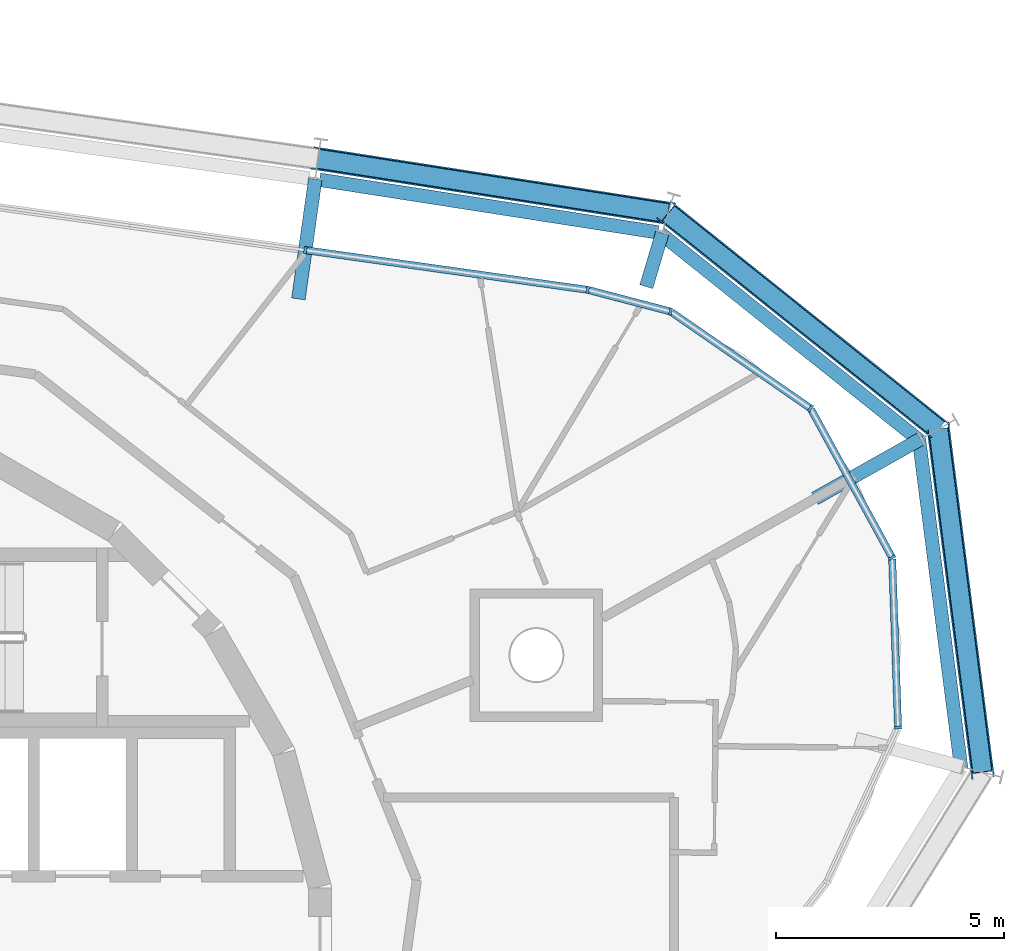
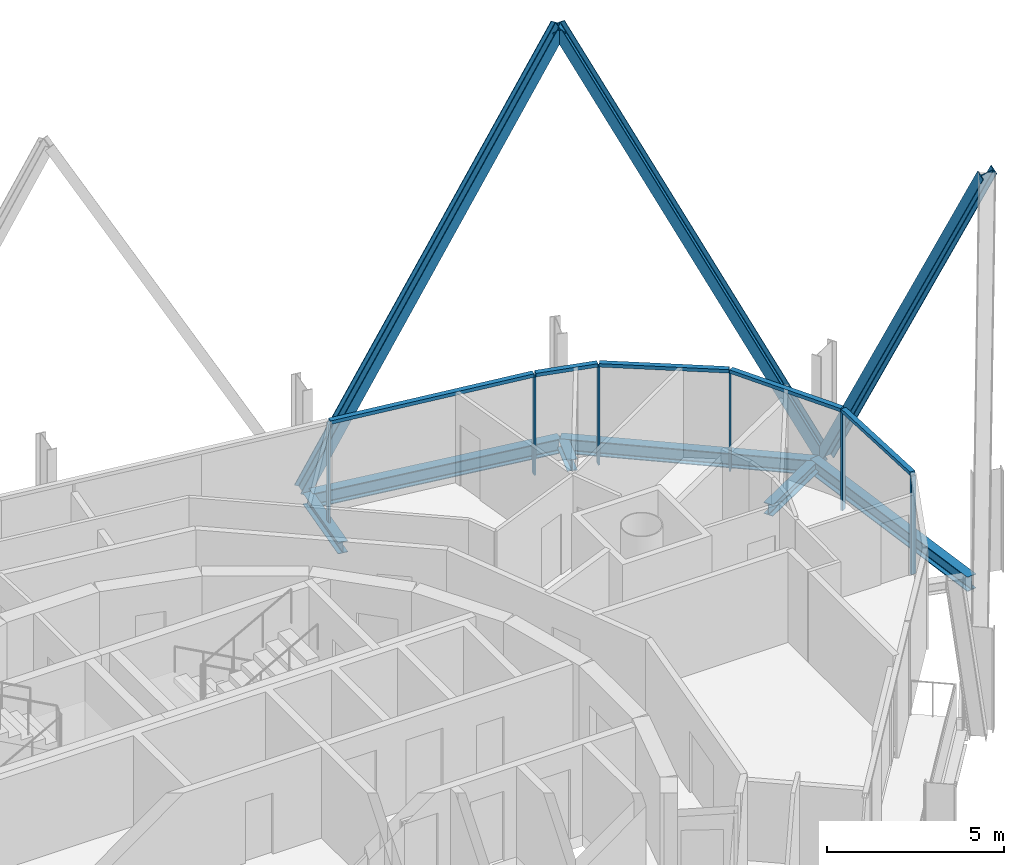
# One storey, part 7 of 15: 14 members, 6 beams, 2 elements without a shape of their own.
"""IFC4 building model written with IfcOpenShell, lengths in metres."""

from ifc_helpers import new_model, si_unit, direction, frame, origin, origin_2d, place, context, subcontext, project, spatial, rectangle, i_section, extrude, material, layer, layer_set, material_profile, profile_set, type_object, element, aggregate, save


model = new_model("IFC4")

# Units and contexts
model_context = context("Model", 3, precision=1e-05, world=origin(), true_north=direction((0.0, 1.0)))
body_context = subcontext(model_context, "Body", "Model", "MODEL_VIEW")
ifc_project = project(units=[si_unit("LENGTHUNIT", "METRE"), si_unit("AREAUNIT", "SQUARE_METRE"), si_unit("VOLUMEUNIT", "CUBIC_METRE"), si_unit("PLANEANGLEUNIT", "RADIAN"), si_unit("MASSUNIT", "GRAM", prefix="KILO")], contexts=[model_context])

# Site, building, storey
site_placement = place(None, origin())
site = spatial("IfcSite", under=ifc_project, at=site_placement, CompositionType="ELEMENT")
building_placement = place(site_placement, origin())
building = spatial("IfcBuilding", under=site, at=building_placement, Name="Spindle Arch Residences", CompositionType="ELEMENT")
storey_placement = place(building_placement, frame((0.0, 0.0, 347.0)))
storey = spatial("IfcBuildingStorey", under=building, at=storey_placement, Name="L89", CompositionType="ELEMENT", Elevation=347.0)

# Curtain wall, members
ifc_material_1 = material(Name="Aluminium bronze unitised frame with tinted glass", Category="aluminium")
ifc_layer_1 = layer(ifc_material_1, 0.159912109375)
ifc_layer_set_1 = layer_set([ifc_layer_1], Name="CW-D corner wall on the fillet arcs")
curtain_wall_type_1 = type_object("IfcCurtainWallType", Name="CW-D corner wall on the fillet arcs", PredefinedType="NOTDEFINED", material=ifc_layer_set_1)
curtain_wall_1_placement = place(storey_placement, origin())
curtain_wall_1 = element("IfcCurtainWall", 1, at=curtain_wall_1_placement, inside=storey, type_object=curtain_wall_type_1, Name="CW-D L89 run 1", PredefinedType="NOTDEFINED")
ifc_material_2 = material(Name="Aluminium bronze anodised mullion", Category="aluminium")
ifc_material_profile_1 = material_profile(ifc_material_2, rectangle(XDim=0.159912109375, YDim=0.06005859375, at=origin_2d()), Name="MU 60x160")
ifc_profile_set_1 = profile_set([ifc_material_profile_1], Name="Aluminium bronze anodised mullion")
member_type_1 = type_object("IfcMemberType", Name="Bronze mullion 60x160", PredefinedType="MULLION", material=ifc_profile_set_1)
member_1_placement = place(storey_placement, frame((24.31201171875, 5.033935546875, -0.3798828125), z_axis=(0.0, 0.0, 1.0), x_axis=(-0.999390827004, -0.034899497139, 0.0)))
member_1 = element("IfcMember", 2, at=member_1_placement, type_object=member_type_1, Name="CW-D mullion 02", PredefinedType="MULLION", context=body_context, shape_type="SweptSolid", body=[
    extrude(rectangle(XDim=0.159912109375, YDim=0.06005859375, at=origin_2d()), origin(), (0.0, 0.0, 1.0), 3.3798828125),
])
member_2_placement = place(storey_placement, frame((24.18212890625, 8.758544921875, -0.3798828125), z_axis=(0.0, 0.0, 1.0), x_axis=(-0.877425397533, -0.479713114021, 0.0)))
member_2 = element("IfcMember", 3, at=member_2_placement, type_object=member_type_1, Name="CW-D mullion 03", PredefinedType="MULLION", context=body_context, shape_type="SweptSolid", body=[
    extrude(rectangle(XDim=0.159912109375, YDim=0.06005859375, at=origin_2d()), origin(), (0.0, 0.0, 1.0), 3.3798828125),
])
member_3_placement = place(storey_placement, frame((22.394287109375, 12.0283203125, -0.3798828125), z_axis=(0.0, 0.0, 1.0), x_axis=(-0.568801123739, -0.822475094841, 0.0)))
member_3 = element("IfcMember", 4, at=member_3_placement, type_object=member_type_1, Name="CW-D mullion 04", PredefinedType="MULLION", context=body_context, shape_type="SweptSolid", body=[
    extrude(rectangle(XDim=0.159912109375, YDim=0.06005859375, at=origin_2d()), origin(), (0.0, 0.0, 1.0), 3.3798828125),
])
member_4_placement = place(storey_placement, frame((19.3291015625, 14.148193359375, -0.3798828125), z_axis=(0.0, 0.0, 1.0), x_axis=(-0.25319517245, -0.967415218326, 0.0)))
member_4 = element("IfcMember", 5, at=member_4_placement, type_object=member_type_1, Name="CW-D mullion 05", PredefinedType="MULLION", context=body_context, shape_type="SweptSolid", body=[
    extrude(rectangle(XDim=0.159912109375, YDim=0.06005859375, at=origin_2d()), origin(), (0.0, 0.0, 1.0), 3.3798828125),
])
member_5_placement = place(storey_placement, frame((17.51416015625, 14.623291015625, -0.3798828125), z_axis=(0.0, 0.0, 1.0), x_axis=(-0.13917310096, -0.990268068742, 0.0)))
member_5 = element("IfcMember", 6, at=member_5_placement, type_object=member_type_1, Name="CW-D mullion 06", PredefinedType="MULLION", context=body_context, shape_type="SweptSolid", body=[
    extrude(rectangle(XDim=0.159912109375, YDim=0.06005859375, at=origin_2d()), origin(), (0.0, 0.0, 1.0), 3.3798828125),
])

# Curtain wall, member
ifc_material_3 = material(Name="Aluminium bronze unitised frame with tinted glass", Category="aluminium")
ifc_layer_2 = layer(ifc_material_3, 0.159912109375)
ifc_layer_set_2 = layer_set([ifc_layer_2], Name="CW-C typical residential unitised wall")
curtain_wall_type_2 = type_object("IfcCurtainWallType", Name="CW-C typical residential unitised wall", PredefinedType="NOTDEFINED", material=ifc_layer_set_2)
curtain_wall_2_placement = place(storey_placement, origin())
curtain_wall_2 = element("IfcCurtainWall", 7, at=curtain_wall_2_placement, inside=storey, type_object=curtain_wall_type_2, Name="CW-C L89 run 2", PredefinedType="NOTDEFINED")
member_6_placement = place(storey_placement, frame((11.326171875, 15.492919921875, -0.3798828125), z_axis=(0.0, 0.0, 1.0), x_axis=(-0.13917310096, -0.990268068742, 0.0)))
member_6 = element("IfcMember", 8, at=member_6_placement, type_object=member_type_1, Name="CW-C mullion 05", PredefinedType="MULLION", context=body_context, shape_type="SweptSolid", body=[
    extrude(rectangle(XDim=0.159912109375, YDim=0.06005859375, at=origin_2d()), origin(), (0.0, 0.0, 1.0), 3.3798828125),
])
aggregate(curtain_wall_2, [member_6])

# Member
ifc_material_4 = material(Name="Aluminium bronze anodised transom", Category="aluminium")
ifc_material_profile_2 = material_profile(ifc_material_4, rectangle(XDim=0.159912109375, YDim=0.1201171875, at=origin_2d()), Name="TR 120x160")
ifc_profile_set_2 = profile_set([ifc_material_profile_2], Name="Aluminium bronze anodised transom")
member_type_2 = type_object("IfcMemberType", Name="Bronze transom 120x160", PredefinedType="USERDEFINED", material=ifc_profile_set_2)
member_7_placement = place(storey_placement, frame((24.31103515625, 5.06396484375, 3.06005859375), z_axis=(-0.034888806725, 0.999391200264, 0.0), x_axis=(-0.999391200264, -0.034888806725, 0.0)))
member_7 = element("IfcMember", 9, at=member_7_placement, type_object=member_type_2, Name="CW-D transom 02", ObjectType="TRANSOM", PredefinedType="USERDEFINED", context=body_context, shape_type="SweptSolid", body=[
    extrude(rectangle(XDim=0.159912109375, YDim=0.1201171875, at=origin_2d()), origin(), (0.0, 0.0, 1.0), 3.666748046875),
])

member_8_placement = place(storey_placement, frame((24.167724609375, 8.784912109375, 3.06005859375), z_axis=(-0.479724247399, 0.877419310511, 0.0), x_axis=(-0.877419310511, -0.479724247399, 0.0)))
member_8 = element("IfcMember", 10, at=member_8_placement, type_object=member_type_2, Name="CW-D transom 03", ObjectType="TRANSOM", PredefinedType="USERDEFINED", context=body_context, shape_type="SweptSolid", body=[
    extrude(rectangle(XDim=0.159912109375, YDim=0.1201171875, at=origin_2d()), origin(), (0.0, 0.0, 1.0), 3.666748046875),
])

member_9_placement = place(storey_placement, frame((22.36962890625, 12.04541015625, 3.06005859375), z_axis=(-0.822474926174, 0.568801367628, 0.0), x_axis=(-0.568801367628, -0.822474926174, 0.0)))
member_9 = element("IfcMember", 11, at=member_9_placement, type_object=member_type_2, Name="CW-D transom 04", ObjectType="TRANSOM", PredefinedType="USERDEFINED", context=body_context, shape_type="SweptSolid", body=[
    extrude(rectangle(XDim=0.159912109375, YDim=0.1201171875, at=origin_2d()), origin(), (0.0, 0.0, 1.0), 3.666748046875),
])

member_10_placement = place(storey_placement, frame((19.300048828125, 14.15576171875, 3.06005859375), z_axis=(-0.96739418578, 0.253275520568, 0.0), x_axis=(-0.253275520568, -0.96739418578, 0.0)))
member_10 = element("IfcMember", 12, at=member_10_placement, type_object=member_type_2, Name="CW-D transom 05", ObjectType="TRANSOM", PredefinedType="USERDEFINED", context=body_context, shape_type="SweptSolid", body=[
    extrude(rectangle(XDim=0.159912109375, YDim=0.1201171875, at=origin_2d()), origin(), (0.0, 0.0, 1.0), 1.816162109375),
])

member_11_placement = place(storey_placement, frame((17.484375, 14.62744140625, 3.06005859375), z_axis=(-0.990267285989, 0.139178670423, 0.0), x_axis=(-0.139178670423, -0.990267285989, 0.0)))
member_11 = element("IfcMember", 13, at=member_11_placement, type_object=member_type_2, Name="CW-D transom 06", ObjectType="TRANSOM", PredefinedType="USERDEFINED", context=body_context, shape_type="SweptSolid", body=[
    extrude(rectangle(XDim=0.159912109375, YDim=0.1201171875, at=origin_2d()), origin(), (0.0, 0.0, 1.0), 6.188720703125),
])

aggregate(curtain_wall_1, [member_1, member_7, member_2, member_8, member_3, member_9, member_4, member_10, member_5, member_11])

# Members
ifc_material_5 = material(Name="Steel S460ML, intumescent coating R 240", Category="steel")
ifc_material_profile_3 = material_profile(ifc_material_5, i_section(OverallWidth=0.300048828125, OverallDepth=0.5, WebThickness=0.014404296875, FlangeThickness=0.028076171875, FilletRadius=0.027099609375, at=origin_2d()), Name="HEB 500")
ifc_profile_set_3 = profile_set([ifc_material_profile_3], Name="Steel S460ML, intumescent coating R 240")
member_type_3 = type_object("IfcMemberType", Name="Diagrid diagonal HEB 500", PredefinedType="BRACE", material=ifc_profile_set_3)
for number, where, z_axis, x_axis, name in (
    (14, (25.19384765625, 11.571044921875, -0.6298828125), (0.060612524747, -0.472032306205, 0.879495095917), (-0.112014137058, 0.872332767263, 0.475907949353), "Diagrid diagonal 9.2.3"),
    (15, (25.19384765625, 11.571044921875, -0.6298828125), (-0.371771048842, 0.297125434374, 0.879490058779), (0.687028965789, -0.549084659828, 0.475917258049), "Diagrid diagonal 9.2.4"),
):
    element("IfcMember", number, at=place(storey_placement, frame(where, z_axis=z_axis, x_axis=x_axis)), inside=storey, type_object=member_type_3, Name=name, PredefinedType="BRACE", context=body_context, shape_type="SweptSolid", body=[
        extrude(i_section(OverallWidth=0.300048828125, OverallDepth=0.5, WebThickness=0.014404296875, FlangeThickness=0.028076171875, FilletRadius=0.027099609375, at=origin_2d()), origin(), (0.0, 0.0, 1.0), 15.918212890625),
    ])
member_12_placement = place(storey_placement, frame((11.607421875, 17.4931640625, -0.6298828125), z_axis=(0.479066203661, -0.074490905402, 0.874612301264), x_axis=(-0.864227174956, 0.134380309535, 0.484822980558)))
element("IfcMember", 16, at=member_12_placement, inside=storey, type_object=member_type_3, Name="Diagrid diagonal 9.2.5", PredefinedType="BRACE", context=body_context, shape_type="SweptSolid", body=[
    extrude(i_section(OverallWidth=0.300048828125, OverallDepth=0.5, WebThickness=0.014404296875, FlangeThickness=0.028076171875, FilletRadius=0.027099609375, at=origin_2d()), origin(), (0.0, 0.0, 1.0), 16.007080078125),
])

# Beams
ifc_material_6 = material(Name="Steel S460ML, intumescent coating R 120", Category="steel")
ifc_material_profile_4 = material_profile(ifc_material_6, i_section(OverallWidth=0.300048828125, OverallDepth=0.5, WebThickness=0.014404296875, FlangeThickness=0.028076171875, FilletRadius=0.027099609375, at=origin_2d()), Name="HEB 500")
ifc_profile_set_4 = profile_set([ifc_material_profile_4], Name="Steel S460ML, intumescent coating R 120")
beam_type_1 = type_object("IfcBeamType", Name="Exoskeleton edge beam HEB 500", PredefinedType="BEAM", material=ifc_profile_set_4)
beam_1_placement = place(storey_placement, frame((25.69580078125, 4.128662109375, -0.6298828125), z_axis=(-0.127344466516, 0.991858551835, 0.0), x_axis=(-0.991858551835, -0.127344466516, 0.0)))
element("IfcBeam", 17, at=beam_1_placement, inside=storey, type_object=beam_type_1, Name="Exoskeleton edge beam 3", PredefinedType="BEAM", context=body_context, shape_type="SweptSolid", body=[
    extrude(i_section(OverallWidth=0.300048828125, OverallDepth=0.5, WebThickness=0.014404296875, FlangeThickness=0.028076171875, FilletRadius=0.027099609375, at=origin_2d()), origin(), (0.0, 0.0, 1.0), 7.31591796875),
])
beam_2_placement = place(storey_placement, frame((24.811279296875, 11.30078125, -0.6298828125), z_axis=(-0.781184527882, 0.624300194937, 0.0), x_axis=(-0.624300194937, -0.781184527882, 0.0)))
element("IfcBeam", 18, at=beam_2_placement, inside=storey, type_object=beam_type_1, Name="Exoskeleton edge beam 4", PredefinedType="BEAM", context=body_context, shape_type="SweptSolid", body=[
    extrude(i_section(OverallWidth=0.300048828125, OverallDepth=0.5, WebThickness=0.014404296875, FlangeThickness=0.028076171875, FilletRadius=0.027099609375, at=origin_2d()), origin(), (0.0, 0.0, 1.0), 7.315673828125),
])
beam_3_placement = place(storey_placement, frame((19.051513671875, 15.881103515625, -0.6298828125), z_axis=(-0.988123169285, 0.15366392655, 0.0), x_axis=(-0.15366392655, -0.988123169285, 0.0)))
element("IfcBeam", 19, at=beam_3_placement, inside=storey, type_object=beam_type_1, Name="Exoskeleton edge beam 5", PredefinedType="BEAM", context=body_context, shape_type="SweptSolid", body=[
    extrude(i_section(OverallWidth=0.300048828125, OverallDepth=0.5, WebThickness=0.014404296875, FlangeThickness=0.028076171875, FilletRadius=0.027099609375, at=origin_2d()), origin(), (0.0, 0.0, 1.0), 7.500732421875),
])
ifc_material_7 = material(Name="Steel S460ML, intumescent coating R 120", Category="steel")
ifc_material_profile_5 = material_profile(ifc_material_7, i_section(OverallWidth=0.300048828125, OverallDepth=0.389892578125, WebThickness=0.010986328125, FlangeThickness=0.01904296875, FilletRadius=0.027099609375, at=origin_2d()), Name="HEA 400")
ifc_profile_set_5 = profile_set([ifc_material_profile_5], Name="Steel S460ML, intumescent coating R 120")
beam_type_2 = type_object("IfcBeamType", Name="Floor outrigger HEA 400", PredefinedType="BEAM", material=ifc_profile_set_5)
beam_4_placement = place(storey_placement, frame((24.801513671875, 11.3505859375, -0.574951171875), z_axis=(-0.871686240554, -0.490064381514, 0.0), x_axis=(0.490064381514, -0.871686240554, 0.0)))
element("IfcBeam", 20, at=beam_4_placement, inside=storey, type_object=beam_type_2, Name="Floor outrigger 4", PredefinedType="BEAM", context=body_context, shape_type="SweptSolid", body=[
    extrude(i_section(OverallWidth=0.300048828125, OverallDepth=0.389892578125, WebThickness=0.010986328125, FlangeThickness=0.01904296875, FilletRadius=0.027099609375, at=origin_2d()), origin(), (0.0, 0.0, 1.0), 2.64990234375),
])
beam_5_placement = place(storey_placement, frame((19.147216796875, 15.869384765625, -0.574951171875), z_axis=(-0.285798722121, -0.958289669377, 0.0), x_axis=(0.958289669377, -0.285798722121, 0.0)))
element("IfcBeam", 21, at=beam_5_placement, inside=storey, type_object=beam_type_2, Name="Floor outrigger 5", PredefinedType="BEAM", context=body_context, shape_type="SweptSolid", body=[
    extrude(i_section(OverallWidth=0.300048828125, OverallDepth=0.389892578125, WebThickness=0.010986328125, FlangeThickness=0.01904296875, FilletRadius=0.027099609375, at=origin_2d()), origin(), (0.0, 0.0, 1.0), 1.229248046875),
])
beam_6_placement = place(storey_placement, frame((11.544921875, 17.047607421875, -0.574951171875), z_axis=(-0.1392026036, -0.990263921968, 0.0), x_axis=(0.990263921968, -0.1392026036, 0.0)))
element("IfcBeam", 22, at=beam_6_placement, inside=storey, type_object=beam_type_2, Name="Floor outrigger 6", PredefinedType="BEAM", context=body_context, shape_type="SweptSolid", body=[
    extrude(i_section(OverallWidth=0.300048828125, OverallDepth=0.389892578125, WebThickness=0.010986328125, FlangeThickness=0.01904296875, FilletRadius=0.027099609375, at=origin_2d()), origin(), (0.0, 0.0, 1.0), 2.650146484375),
])

save(model, "model.ifc")
